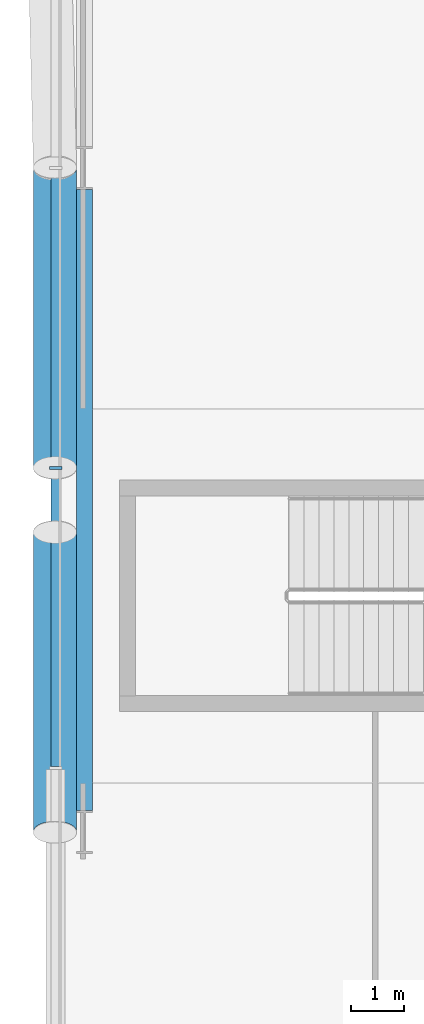
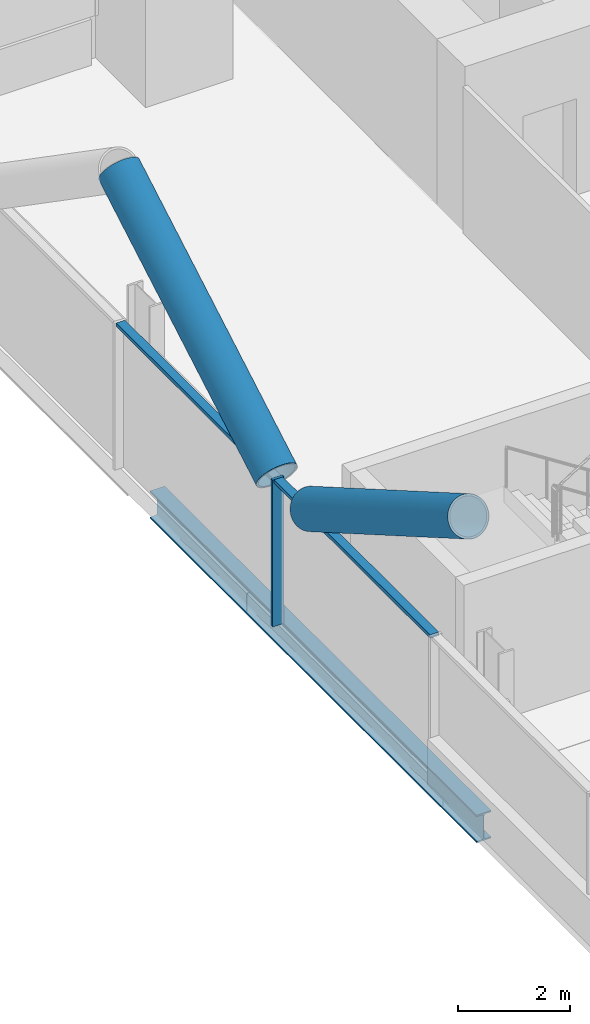
# One storey, part 6 of 27: 5 members, 1 beam, 1 element without a shape of its own.
"""IFC4 building model written with IfcOpenShell, lengths in metres."""

from ifc_helpers import new_model, si_unit, direction, frame, origin, origin_2d, place, context, subcontext, project, spatial, rectangle, hollow_circle, i_section, extrude, material, material_profile, profile_set, type_object, element, aggregate, save


model = new_model("IFC4")

# Units and contexts
model_context = context("Model", 3, precision=1e-05, world=origin(), true_north=direction((0.0, 1.0)))
body_context = subcontext(model_context, "Body", "Model", "MODEL_VIEW")
ifc_project = project(units=[si_unit("LENGTHUNIT", "METRE"), si_unit("AREAUNIT", "SQUARE_METRE"), si_unit("VOLUMEUNIT", "CUBIC_METRE"), si_unit("PLANEANGLEUNIT", "RADIAN"), si_unit("MASSUNIT", "GRAM", prefix="KILO")], contexts=[model_context])

# Site, building, storey
site_placement = place(None, origin())
site = spatial("IfcSite", under=ifc_project, at=site_placement, CompositionType="ELEMENT")
building_placement = place(site_placement, origin())
building = spatial("IfcBuilding", under=site, at=building_placement, Name="Wharfspan Tower", CompositionType="ELEMENT")
storey_placement = place(building_placement, frame((0.0, 0.0, 111.100098)))
storey = spatial("IfcBuildingStorey", under=building, at=storey_placement, Name="L25", CompositionType="ELEMENT", Elevation=111.100098)

# Beam
ifc_material_1 = material(Name="Steel S355J2", Category="steel")
ifc_material_profile_1 = material_profile(ifc_material_1, i_section(OverallWidth=0.300049, OverallDepth=0.600098, WebThickness=0.015381, FlangeThickness=0.030029, FilletRadius=0.0271, at=origin_2d()))
ifc_profile_set_1 = profile_set([ifc_material_profile_1], Name="Steel S355J2")
beam_type = type_object("IfcBeamType", Name="Edge beam HEB 600", PredefinedType="SPANDREL", material=ifc_profile_set_1)
beam_placement = place(storey_placement, frame((7.540039, 30.330322, -0.700195), z_axis=(0.0, -1.0, 0.0), x_axis=(1.0, 0.0, 0.0)))
element("IfcBeam", 1, at=beam_placement, inside=storey, type_object=beam_type, Name="Edge beam W L25 PW.1 to PW.2", PredefinedType="SPANDREL", context=body_context, shape_type="SweptSolid", body=[
    extrude(i_section(OverallWidth=0.300049, OverallDepth=0.600098, WebThickness=0.015381, FlangeThickness=0.030029, FilletRadius=0.0271, at=origin_2d()), origin(), (0.0, 0.0, 1.0), 11.660645),
])

# Curtain wall, member
ifc_material_2 = material(Name="Aluminium 6063-T6", Category="aluminium")
curtain_wall_type = type_object("IfcCurtainWallType", Name="CURTAIN WALL PROW AND END", PredefinedType="NOTDEFINED", material=ifc_material_2)
curtain_wall_placement = place(storey_placement, origin())
curtain_wall = element("IfcCurtainWall", 2, at=curtain_wall_placement, inside=storey, type_object=curtain_wall_type, Name="Curtain wall W", PredefinedType="NOTDEFINED")
ifc_material_profile_2 = material_profile(ifc_material_2, rectangle(XDim=0.23999, YDim=0.060059, at=origin_2d()))
ifc_profile_set_2 = profile_set([ifc_material_profile_2], Name="Aluminium 6063-T6")
member_type_1 = type_object("IfcMemberType", Name="MULLION PROW AND END 60x240", PredefinedType="MULLION", material=ifc_profile_set_2)
member_1_placement = place(storey_placement, frame((7.0, 25.100098, 0.0), z_axis=(0.0, 0.0, 1.0), x_axis=(1.0, 0.0, 0.0)))
member_1 = element("IfcMember", 3, at=member_1_placement, type_object=member_type_1, Name="Curtain wall W mullion 4", PredefinedType="MULLION", context=body_context, shape_type="SweptSolid", body=[
    extrude(rectangle(XDim=0.23999, YDim=0.060059, at=origin_2d()), origin(), (0.0, 0.0, 1.0), 3.199951),
])

# Members
ifc_material_3 = material(Name="Steel S460NH", Category="steel")
ifc_material_profile_3 = material_profile(ifc_material_3, hollow_circle(Radius=0.406494, WallThickness=0.040039, at=origin_2d()))
ifc_profile_set_3 = profile_set([ifc_material_profile_3], Name="Steel S460NH")
member_type_2 = type_object("IfcMemberType", Name="Mega brace CHS 813x40", PredefinedType="BRACE", material=ifc_profile_set_3)
for number, where, z_axis, x_axis, name in (
    (4, (6.985107, 23.894043, 3.25), (0.0, -0.865959, 0.500115), (1.0, 0.0, 0.0), "Mega brace W3 L25 part 2"),
    (5, (6.985107, 25.105957, 3.25), (0.0, 0.865959, 0.500115), (-1.0, 0.0, 0.0), "Mega brace W3 L25 part 4"),
):
    element("IfcMember", number, at=place(storey_placement, frame(where, z_axis=z_axis, x_axis=x_axis)), inside=storey, type_object=member_type_2, Name=name, PredefinedType="BRACE", context=body_context, shape_type="SweptSolid", body=[
        extrude(hollow_circle(Radius=0.406494, WallThickness=0.040039, at=origin_2d()), origin(), (0.0, 0.0, 1.0), 6.498535),
    ])

# Member
ifc_material_profile_4 = material_profile(ifc_material_2, rectangle(XDim=0.179932, YDim=0.080078, at=origin_2d()))
ifc_profile_set_4 = profile_set([ifc_material_profile_4], Name="Aluminium 6063-T6")
member_type_3 = type_object("IfcMemberType", Name="TRANSOM PROW AND END 80x180", PredefinedType="USERDEFINED", material=ifc_profile_set_4)
member_2_placement = place(storey_placement, frame((7.0, 30.703369, 3.159912), z_axis=(0.0, -1.0, 0.0), x_axis=(1.0, 0.0, 0.0)))
member_2 = element("IfcMember", 6, at=member_2_placement, type_object=member_type_3, Name="Curtain wall W transom 3", ObjectType="TRANSOM", PredefinedType="USERDEFINED", context=body_context, shape_type="SweptSolid", body=[
    extrude(rectangle(XDim=0.179932, YDim=0.080078, at=origin_2d()), origin(), (0.0, 0.0, 1.0), 5.573486),
])

member_3_placement = place(storey_placement, frame((7.0, 25.070068, 3.159912), z_axis=(0.0, -1.0, 0.0), x_axis=(1.0, 0.0, 0.0)))
member_3 = element("IfcMember", 7, at=member_3_placement, type_object=member_type_3, Name="Curtain wall W transom 4", ObjectType="TRANSOM", PredefinedType="USERDEFINED", context=body_context, shape_type="SweptSolid", body=[
    extrude(rectangle(XDim=0.179932, YDim=0.080078, at=origin_2d()), origin(), (0.0, 0.0, 1.0), 5.573486),
])

aggregate(curtain_wall, [member_1, member_2, member_3])

save(model, "model.ifc")
